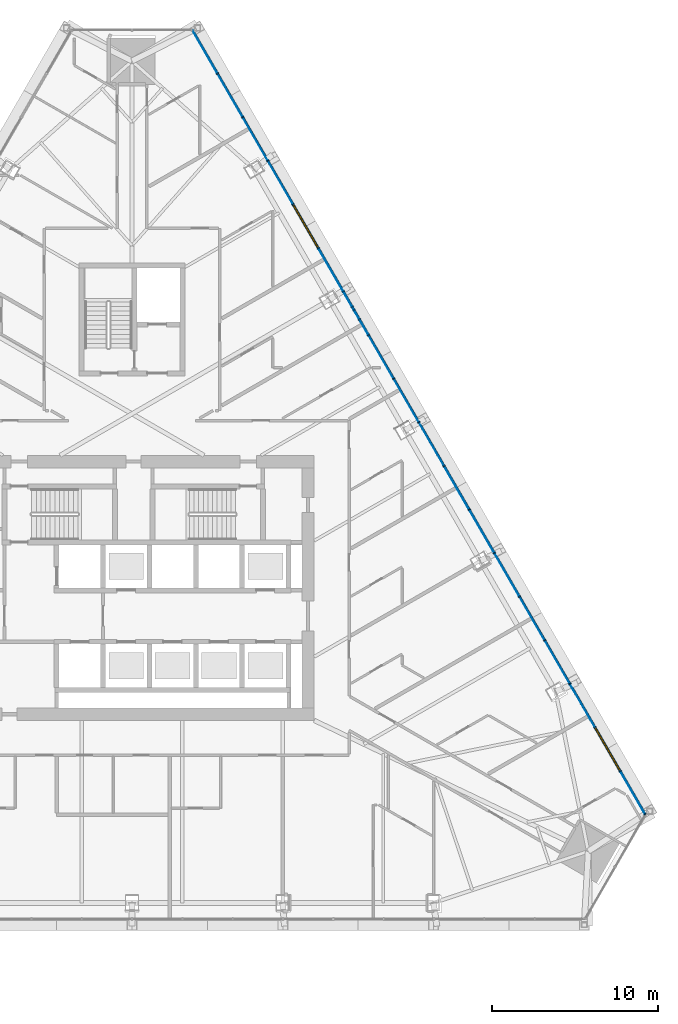
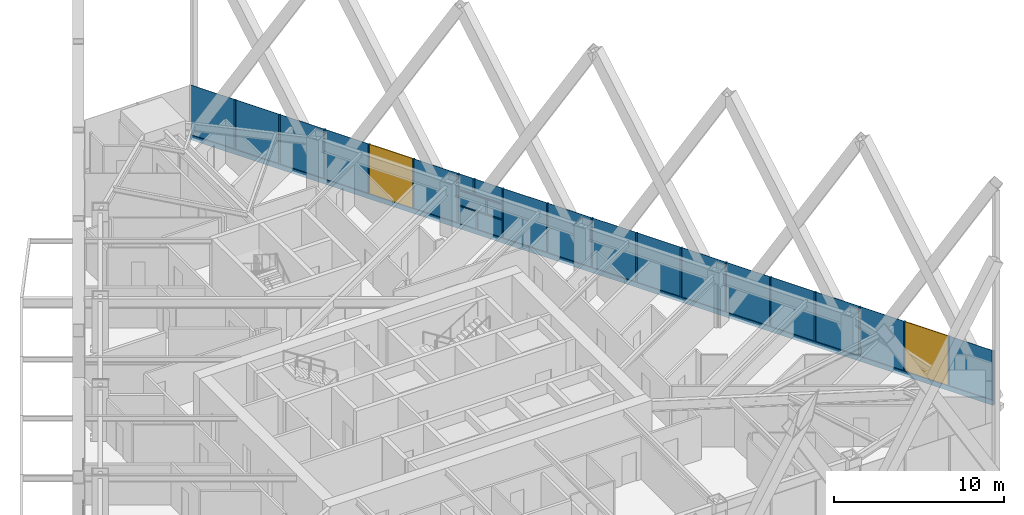
# One storey, part 10 of 26: 24 members, 21 plates, 2 windows, 2 openings, 1 element without a shape of its own.
"""IFC4 building model written with IfcOpenShell, lengths in metres."""

from ifc_helpers import new_model, si_unit, direction, frame, frame_2d, origin, origin_2d, place, context, subcontext, project, spatial, polyline, rectangle, outline, extrude, material, layer, layer_set, material_profile, profile_set, type_object, element, fill, aggregate, save


model = new_model("IFC4")

# Units and contexts
model_context = context("Model", 3, precision=1e-05, world=origin(), true_north=direction((0.0, 1.0)))
body_context = subcontext(model_context, "Body", "Model", "MODEL_VIEW")
ifc_project = project(units=[si_unit("LENGTHUNIT", "METRE"), si_unit("AREAUNIT", "SQUARE_METRE"), si_unit("VOLUMEUNIT", "CUBIC_METRE"), si_unit("PLANEANGLEUNIT", "RADIAN"), si_unit("MASSUNIT", "GRAM", prefix="KILO")], contexts=[model_context])

# Site, building, storey
site_placement = place(None, origin())
site = spatial("IfcSite", under=ifc_project, at=site_placement, CompositionType="ELEMENT")
building_placement = place(site_placement, origin())
building = spatial("IfcBuilding", under=site, at=building_placement, Name="Firuza Gate Tower and Library", CompositionType="ELEMENT")
storey_placement = place(building_placement, frame((0.0, 0.0, 155.800048828125)))
storey = spatial("IfcBuildingStorey", under=building, at=storey_placement, Name="L35", CompositionType="ELEMENT", Elevation=155.800048828125)

# Curtain wall, openings, members, plates, windows
ifc_material_1 = material(Name="Aluminium 6063-T6", Category="aluminium")
ifc_layer_1 = layer(ifc_material_1, 0.14990234375)
ifc_layer_set_1 = layer_set([ifc_layer_1], Name="Unitised curtain wall, hotel")
curtain_wall_type = type_object("IfcCurtainWallType", Name="Unitised curtain wall, hotel", PredefinedType="NOTDEFINED", material=ifc_layer_set_1)
curtain_wall_placement = place(storey_placement, origin())
curtain_wall = element("IfcCurtainWall", 1, at=curtain_wall_placement, inside=storey, type_object=curtain_wall_type, Name="CW2 L35 E face", PredefinedType="NOTDEFINED")
opening_1_placement = place(curtain_wall_placement, frame((104.447509765625, 63.982666015625, 0.14990234375), z_axis=(0.0, 0.0, 1.0), x_axis=(-0.5, 0.866025, 0.0)))
opening_1 = element("IfcOpeningElement", 2, at=opening_1_placement, cuts=curtain_wall, Name="Opening WD1-001", PredefinedType="OPENING", context=body_context, shape_type="SweptSolid", body=[
    extrude(rectangle(XDim=2.958251953125, YDim=3.550048828125, at=frame_2d((1.47900390625, 1.77490234375))), frame((0.0, 0.0849609375, 0.0), z_axis=(0.0, -1.0, 0.0), x_axis=(1.0, 0.0, 0.0)), (0.0, 0.0, 1.0), 0.169921875),
])
opening_2_placement = place(curtain_wall_placement, frame((86.21875, 95.555908203125, 0.14990234375), z_axis=(0.0, 0.0, 1.0), x_axis=(-0.5, 0.866025, 0.0)))
opening_2 = element("IfcOpeningElement", 3, at=opening_2_placement, cuts=curtain_wall, Name="Opening WD1-002", PredefinedType="OPENING", context=body_context, shape_type="SweptSolid", body=[
    extrude(rectangle(XDim=2.958251953125, YDim=3.550048828125, at=frame_2d((1.47900390625, 1.77490234375))), frame((0.0, 0.0849609375, 0.0), z_axis=(0.0, -1.0, 0.0), x_axis=(1.0, 0.0, 0.0)), (0.0, 0.0, 1.0), 0.169921875),
])
ifc_material_2 = material(Name="Aluminium 6063-T6", Category="aluminium")
ifc_material_profile_1 = material_profile(ifc_material_2, rectangle(XDim=0.14990234375, YDim=0.080078125, at=origin_2d()))
ifc_profile_set_1 = profile_set([ifc_material_profile_1], Name="Aluminium 6063-T6")
member_type_1 = type_object("IfcMemberType", Name="Curtain wall mullion 80x150", PredefinedType="MULLION", material=ifc_profile_set_1)
member_1_placement = place(storey_placement, frame((105.966552734375, 61.351318359375, 0.14990234375), z_axis=(0.0, 0.0, 1.0), x_axis=(-0.866025403784, -0.5, 0.0)))
member_1 = element("IfcMember", 4, at=member_1_placement, type_object=member_type_1, Name="Mullion", PredefinedType="MULLION", context=body_context, shape_type="SweptSolid", body=[
    extrude(rectangle(XDim=0.14990234375, YDim=0.080078125, at=origin_2d()), origin(), (0.0, 0.0, 1.0), 3.550048828125),
])
member_2_placement = place(storey_placement, frame((104.467529296875, 63.947998046875, 0.14990234375), z_axis=(0.0, 0.0, 1.0), x_axis=(-0.866025403784, -0.5, 0.0)))
member_2 = element("IfcMember", 5, at=member_2_placement, type_object=member_type_1, Name="Mullion", PredefinedType="MULLION", context=body_context, shape_type="SweptSolid", body=[
    extrude(rectangle(XDim=0.14990234375, YDim=0.080078125, at=origin_2d()), origin(), (0.0, 0.0, 1.0), 3.550048828125),
])
member_3_placement = place(storey_placement, frame((102.948486328125, 66.5791015625, 0.14990234375), z_axis=(0.0, 0.0, 1.0), x_axis=(-0.866025403784, -0.5, 0.0)))
member_3 = element("IfcMember", 6, at=member_3_placement, type_object=member_type_1, Name="Mullion", PredefinedType="MULLION", context=body_context, shape_type="SweptSolid", body=[
    extrude(rectangle(XDim=0.14990234375, YDim=0.080078125, at=origin_2d()), origin(), (0.0, 0.0, 1.0), 3.550048828125),
])
member_4_placement = place(storey_placement, frame((101.429443359375, 69.210205078125, 0.14990234375), z_axis=(0.0, 0.0, 1.0), x_axis=(-0.866025403784, -0.5, 0.0)))
member_4 = element("IfcMember", 7, at=member_4_placement, type_object=member_type_1, Name="Mullion", PredefinedType="MULLION", context=body_context, shape_type="SweptSolid", body=[
    extrude(rectangle(XDim=0.14990234375, YDim=0.080078125, at=origin_2d()), origin(), (0.0, 0.0, 1.0), 3.550048828125),
])
member_5_placement = place(storey_placement, frame((99.910400390625, 71.84130859375, 0.14990234375), z_axis=(0.0, 0.0, 1.0), x_axis=(-0.866025403784, -0.5, 0.0)))
member_5 = element("IfcMember", 8, at=member_5_placement, type_object=member_type_1, Name="Mullion", PredefinedType="MULLION", context=body_context, shape_type="SweptSolid", body=[
    extrude(rectangle(XDim=0.14990234375, YDim=0.080078125, at=origin_2d()), origin(), (0.0, 0.0, 1.0), 3.550048828125),
])
member_6_placement = place(storey_placement, frame((98.391357421875, 74.472412109375, 0.14990234375), z_axis=(0.0, 0.0, 1.0), x_axis=(-0.866025403784, -0.5, 0.0)))
member_6 = element("IfcMember", 9, at=member_6_placement, type_object=member_type_1, Name="Mullion", PredefinedType="MULLION", context=body_context, shape_type="SweptSolid", body=[
    extrude(rectangle(XDim=0.14990234375, YDim=0.080078125, at=origin_2d()), origin(), (0.0, 0.0, 1.0), 3.550048828125),
])
member_7_placement = place(storey_placement, frame((96.8720703125, 77.103515625, 0.14990234375), z_axis=(0.0, 0.0, 1.0), x_axis=(-0.866025403784, -0.5, 0.0)))
member_7 = element("IfcMember", 10, at=member_7_placement, type_object=member_type_1, Name="Mullion", PredefinedType="MULLION", context=body_context, shape_type="SweptSolid", body=[
    extrude(rectangle(XDim=0.14990234375, YDim=0.080078125, at=origin_2d()), origin(), (0.0, 0.0, 1.0), 3.550048828125),
])
member_8_placement = place(storey_placement, frame((95.35302734375, 79.734619140625, 0.14990234375), z_axis=(0.0, 0.0, 1.0), x_axis=(-0.866025403784, -0.5, 0.0)))
member_8 = element("IfcMember", 11, at=member_8_placement, type_object=member_type_1, Name="Mullion", PredefinedType="MULLION", context=body_context, shape_type="SweptSolid", body=[
    extrude(rectangle(XDim=0.14990234375, YDim=0.080078125, at=origin_2d()), origin(), (0.0, 0.0, 1.0), 3.550048828125),
])
member_9_placement = place(storey_placement, frame((93.833984375, 82.36572265625, 0.14990234375), z_axis=(0.0, 0.0, 1.0), x_axis=(-0.866025403784, -0.5, 0.0)))
member_9 = element("IfcMember", 12, at=member_9_placement, type_object=member_type_1, Name="Mullion", PredefinedType="MULLION", context=body_context, shape_type="SweptSolid", body=[
    extrude(rectangle(XDim=0.14990234375, YDim=0.080078125, at=origin_2d()), origin(), (0.0, 0.0, 1.0), 3.550048828125),
])
member_10_placement = place(storey_placement, frame((92.31494140625, 84.996826171875, 0.14990234375), z_axis=(0.0, 0.0, 1.0), x_axis=(-0.866025403784, -0.5, 0.0)))
member_10 = element("IfcMember", 13, at=member_10_placement, type_object=member_type_1, Name="Mullion", PredefinedType="MULLION", context=body_context, shape_type="SweptSolid", body=[
    extrude(rectangle(XDim=0.14990234375, YDim=0.080078125, at=origin_2d()), origin(), (0.0, 0.0, 1.0), 3.550048828125),
])
member_11_placement = place(storey_placement, frame((90.7958984375, 87.6279296875, 0.14990234375), z_axis=(0.0, 0.0, 1.0), x_axis=(-0.866025403784, -0.5, 0.0)))
member_11 = element("IfcMember", 14, at=member_11_placement, type_object=member_type_1, Name="Mullion", PredefinedType="MULLION", context=body_context, shape_type="SweptSolid", body=[
    extrude(rectangle(XDim=0.14990234375, YDim=0.080078125, at=origin_2d()), origin(), (0.0, 0.0, 1.0), 3.550048828125),
])
member_12_placement = place(storey_placement, frame((89.27685546875, 90.259033203125, 0.14990234375), z_axis=(0.0, 0.0, 1.0), x_axis=(-0.866025403784, -0.5, 0.0)))
member_12 = element("IfcMember", 15, at=member_12_placement, type_object=member_type_1, Name="Mullion", PredefinedType="MULLION", context=body_context, shape_type="SweptSolid", body=[
    extrude(rectangle(XDim=0.14990234375, YDim=0.080078125, at=origin_2d()), origin(), (0.0, 0.0, 1.0), 3.550048828125),
])
member_13_placement = place(storey_placement, frame((87.7578125, 92.89013671875, 0.14990234375), z_axis=(0.0, 0.0, 1.0), x_axis=(-0.866025403784, -0.5, 0.0)))
member_13 = element("IfcMember", 16, at=member_13_placement, type_object=member_type_1, Name="Mullion", PredefinedType="MULLION", context=body_context, shape_type="SweptSolid", body=[
    extrude(rectangle(XDim=0.14990234375, YDim=0.080078125, at=origin_2d()), origin(), (0.0, 0.0, 1.0), 3.550048828125),
])
member_14_placement = place(storey_placement, frame((86.23876953125, 95.521240234375, 0.14990234375), z_axis=(0.0, 0.0, 1.0), x_axis=(-0.866025403784, -0.5, 0.0)))
member_14 = element("IfcMember", 17, at=member_14_placement, type_object=member_type_1, Name="Mullion", PredefinedType="MULLION", context=body_context, shape_type="SweptSolid", body=[
    extrude(rectangle(XDim=0.14990234375, YDim=0.080078125, at=origin_2d()), origin(), (0.0, 0.0, 1.0), 3.550048828125),
])
member_15_placement = place(storey_placement, frame((84.719482421875, 98.15234375, 0.14990234375), z_axis=(0.0, 0.0, 1.0), x_axis=(-0.866025403784, -0.5, 0.0)))
member_15 = element("IfcMember", 18, at=member_15_placement, type_object=member_type_1, Name="Mullion", PredefinedType="MULLION", context=body_context, shape_type="SweptSolid", body=[
    extrude(rectangle(XDim=0.14990234375, YDim=0.080078125, at=origin_2d()), origin(), (0.0, 0.0, 1.0), 3.550048828125),
])
member_16_placement = place(storey_placement, frame((83.200439453125, 100.783447265625, 0.14990234375), z_axis=(0.0, 0.0, 1.0), x_axis=(-0.866025403784, -0.5, 0.0)))
member_16 = element("IfcMember", 19, at=member_16_placement, type_object=member_type_1, Name="Mullion", PredefinedType="MULLION", context=body_context, shape_type="SweptSolid", body=[
    extrude(rectangle(XDim=0.14990234375, YDim=0.080078125, at=origin_2d()), origin(), (0.0, 0.0, 1.0), 3.550048828125),
])
member_17_placement = place(storey_placement, frame((81.681396484375, 103.41455078125, 0.14990234375), z_axis=(0.0, 0.0, 1.0), x_axis=(-0.866025403784, -0.5, 0.0)))
member_17 = element("IfcMember", 20, at=member_17_placement, type_object=member_type_1, Name="Mullion", PredefinedType="MULLION", context=body_context, shape_type="SweptSolid", body=[
    extrude(rectangle(XDim=0.14990234375, YDim=0.080078125, at=origin_2d()), origin(), (0.0, 0.0, 1.0), 3.550048828125),
])
member_18_placement = place(storey_placement, frame((80.162353515625, 106.045654296875, 0.14990234375), z_axis=(0.0, 0.0, 1.0), x_axis=(-0.866025403784, -0.5, 0.0)))
member_18 = element("IfcMember", 21, at=member_18_placement, type_object=member_type_1, Name="Mullion", PredefinedType="MULLION", context=body_context, shape_type="SweptSolid", body=[
    extrude(rectangle(XDim=0.14990234375, YDim=0.080078125, at=origin_2d()), origin(), (0.0, 0.0, 1.0), 3.550048828125),
])
member_19_placement = place(storey_placement, frame((88.4013671875, 91.775390625, 0.14990234375), z_axis=(0.0, 0.0, 1.0), x_axis=(-0.866025403784, -0.5, 0.0)))
member_19 = element("IfcMember", 22, at=member_19_placement, type_object=member_type_1, Name="Mullion", PredefinedType="MULLION", context=body_context, shape_type="SweptSolid", body=[
    extrude(rectangle(XDim=0.14990234375, YDim=0.080078125, at=origin_2d()), origin(), (0.0, 0.0, 1.0), 1.260009765625),
])
member_20_placement = place(storey_placement, frame((88.7294921875, 91.20703125, 1.489990234375), z_axis=(0.0, 0.0, 1.0), x_axis=(-0.866025403784, -0.5, 0.0)))
member_20 = element("IfcMember", 23, at=member_20_placement, type_object=member_type_1, Name="Mullion", PredefinedType="MULLION", context=body_context, shape_type="SweptSolid", body=[
    extrude(rectangle(XDim=0.14990234375, YDim=0.080078125, at=origin_2d()), origin(), (0.0, 0.0, 1.0), 1.044921875),
])
member_21_placement = place(storey_placement, frame((88.302490234375, 91.946533203125, 2.614990234375), z_axis=(0.0, 0.0, 1.0), x_axis=(-0.866025403784, -0.5, 0.0)))
member_21 = element("IfcMember", 24, at=member_21_placement, type_object=member_type_1, Name="Mullion", PredefinedType="MULLION", context=body_context, shape_type="SweptSolid", body=[
    extrude(rectangle(XDim=0.14990234375, YDim=0.080078125, at=origin_2d()), origin(), (0.0, 0.0, 1.0), 1.0849609375),
])
ifc_material_3 = material(Name="Aluminium 6063-T6", Category="aluminium")
ifc_material_profile_2 = material_profile(ifc_material_3, rectangle(XDim=0.14990234375, YDim=0.35009765625, at=origin_2d()))
ifc_profile_set_2 = profile_set([ifc_material_profile_2], Name="Aluminium 6063-T6")
member_type_2 = type_object("IfcMemberType", Name="Curtain wall transom 350x150", PredefinedType="USERDEFINED", material=ifc_profile_set_2)
member_22_placement = place(storey_placement, frame((105.986572265625, 61.31689453125, -0.025146484375), z_axis=(-0.500000437556, 0.866025151161, 0.0), x_axis=(-0.866025151161, -0.500000437556, 0.0)))
member_22 = element("IfcMember", 25, at=member_22_placement, type_object=member_type_2, Name="Transom", ObjectType="TRANSOM", PredefinedType="USERDEFINED", context=body_context, shape_type="SweptSolid", body=[
    extrude(rectangle(XDim=0.14990234375, YDim=0.35009765625, at=origin_2d()), origin(), (0.0, 0.0, 1.0), 54.6865234375),
])
ifc_material_4 = material(Name="Aluminium 6063-T6", Category="aluminium")
ifc_material_profile_3 = material_profile(ifc_material_4, rectangle(XDim=0.14990234375, YDim=0.080078125, at=origin_2d()))
ifc_profile_set_3 = profile_set([ifc_material_profile_3], Name="Aluminium 6063-T6")
member_type_3 = type_object("IfcMemberType", Name="Curtain wall transom 80x150", PredefinedType="USERDEFINED", material=ifc_profile_set_3)
member_23_placement = place(storey_placement, frame((89.2568359375, 90.293701171875, 1.449951171875), z_axis=(-0.49999155831, 0.866030277542, 0.0), x_axis=(-0.866030277542, -0.49999155831, 0.0)))
member_23 = element("IfcMember", 26, at=member_23_placement, type_object=member_type_3, Name="Transom", ObjectType="TRANSOM", PredefinedType="USERDEFINED", context=body_context, shape_type="SweptSolid", body=[
    extrude(rectangle(XDim=0.14990234375, YDim=0.080078125, at=origin_2d()), origin(), (0.0, 0.0, 1.0), 2.9580078125),
])
member_24_placement = place(storey_placement, frame((89.2568359375, 90.293701171875, 2.574951171875), z_axis=(-0.49999155831, 0.866030277542, 0.0), x_axis=(-0.866030277542, -0.49999155831, 0.0)))
member_24 = element("IfcMember", 27, at=member_24_placement, type_object=member_type_3, Name="Transom", ObjectType="TRANSOM", PredefinedType="USERDEFINED", context=body_context, shape_type="SweptSolid", body=[
    extrude(rectangle(XDim=0.14990234375, YDim=0.080078125, at=origin_2d()), origin(), (0.0, 0.0, 1.0), 2.9580078125),
])
ifc_material_5 = material(Name="Fritted glass", Category="glass")
ifc_layer_2 = layer(ifc_material_5, 0.030029296875)
ifc_layer_set_2 = layer_set([ifc_layer_2], Name="Fritted glass unit, hotel")
plate_type_1 = type_object("IfcPlateType", Name="Fritted glass unit, hotel", PredefinedType="CURTAIN_PANEL", material=ifc_layer_set_2)
plate_1_placement = place(storey_placement, frame((99.9033203125, 71.88330078125, 0.14990234375), z_axis=(0.866050908157, 0.499955822529, 0.0), x_axis=(-0.499955822529, 0.866050908157, 0.0)))
plate_1 = element("IfcPlate", 28, at=plate_1_placement, type_object=plate_type_1, Name="Glass unit", PredefinedType="CURTAIN_PANEL", context=body_context, shape_type="SweptSolid", body=[
    extrude(outline(polyline([(0.0, 0.0), (2.9582691902048213, 0.0), (2.9582691902048213, 3.550048828125), (0.0, 3.550048828125), (0.0, 0.0)])), origin(), (0.0, 0.0, -1.0), 0.030029296875),
])
plate_2_placement = place(storey_placement, frame((95.34619140625, 79.776611328125, 0.14990234375), z_axis=(0.866015173767, 0.500017718492, 0.0), x_axis=(-0.500017718492, 0.866015173767, 0.0)))
plate_2 = element("IfcPlate", 29, at=plate_2_placement, type_object=plate_type_1, Name="Glass unit", PredefinedType="CURTAIN_PANEL", context=body_context, shape_type="SweptSolid", body=[
    extrude(outline(polyline([(0.0, 0.0), (2.958391257287621, 0.0), (2.958391257287621, 3.550048828125), (0.0, 3.550048828125), (0.0, 0.0)])), origin(), (0.0, 0.0, -1.0), 0.030029296875),
])
plate_3_placement = place(storey_placement, frame((90.788818359375, 87.669921875, 0.14990234375), z_axis=(0.866050908157, 0.499955822529, 0.0), x_axis=(-0.499955822529, 0.866050908157, 0.0)))
plate_3 = element("IfcPlate", 30, at=plate_3_placement, type_object=plate_type_1, Name="Glass unit", PredefinedType="CURTAIN_PANEL", context=body_context, shape_type="SweptSolid", body=[
    extrude(outline(polyline([(0.0, 0.0), (2.9582691902048213, 0.0), (2.9582691902048213, 3.550048828125), (0.0, 3.550048828125), (0.0, 0.0)])), origin(), (0.0, 0.0, -1.0), 0.030029296875),
])
plate_4_placement = place(storey_placement, frame((89.269775390625, 90.30126953125, 0.14990234375), z_axis=(0.866022559518, 0.500004926382, 0.0), x_axis=(-0.500004926382, 0.866022559518, 0.0)))
plate_4 = element("IfcPlate", 31, at=plate_4_placement, type_object=plate_type_1, Name="Glass unit", PredefinedType="CURTAIN_PANEL", context=body_context, shape_type="SweptSolid", body=[
    extrude(outline(polyline([(0.0, 0.0), (1.6708819746926513, 0.0), (1.6708819746926513, 1.260009765625), (0.0, 1.260009765625), (0.0, 0.0)])), origin(), (0.0, 0.0, -1.0), 0.030029296875),
])
plate_5_placement = place(storey_placement, frame((89.269775390625, 90.30126953125, 1.489990234375), z_axis=(0.866013277291, 0.500021003115, 0.0), x_axis=(-0.500021003115, 0.866013277291, 0.0)))
plate_5 = element("IfcPlate", 32, at=plate_5_placement, type_object=plate_type_1, Name="Glass unit", PredefinedType="CURTAIN_PANEL", context=body_context, shape_type="SweptSolid", body=[
    extrude(outline(polyline([(0.0, 0.0), (1.014605817734958, 0.0), (1.014605817734958, 1.044921875), (0.0, 1.044921875), (0.0, 0.0)])), origin(), (0.0, 0.0, -1.0), 0.030029296875),
])
plate_6_placement = place(storey_placement, frame((88.295654296875, 91.988525390625, 2.614990234375), z_axis=(0.866032592222, 0.499987549055, 0.0), x_axis=(-0.499987549055, 0.866032592222, 0.0)))
plate_6 = element("IfcPlate", 33, at=plate_6_placement, type_object=plate_type_1, Name="Glass unit", PredefinedType="CURTAIN_PANEL", context=body_context, shape_type="SweptSolid", body=[
    extrude(outline(polyline([(0.0, 0.0), (1.009790770699054, 0.0), (1.009790770699054, 1.0849609375), (0.0, 1.0849609375), (0.0, 0.0)])), origin(), (0.0, 0.0, -1.0), 0.030029296875),
])
plate_7_placement = place(storey_placement, frame((81.67431640625, 103.456787109375, 0.14990234375), z_axis=(0.866030277542, 0.49999155831, 0.0), x_axis=(-0.49999155831, 0.866030277542, 0.0)))
plate_7 = element("IfcPlate", 34, at=plate_7_placement, type_object=plate_type_1, Name="Glass unit", PredefinedType="CURTAIN_PANEL", context=body_context, shape_type="SweptSolid", body=[
    extrude(outline(polyline([(0.0, 0.0), (2.958057754513118, 0.0), (2.958057754513118, 3.550048828125), (0.0, 3.550048828125), (0.0, 0.0)])), origin(), (0.0, 0.0, -1.0), 0.030029296875),
])
ifc_material_6 = material(Name="Glazed ceramic tile")
ifc_layer_3 = layer(ifc_material_6, 0.030029296875)
ifc_layer_set_3 = layer_set([ifc_layer_3], Name="Opaque ceramic panel, hotel")
plate_type_2 = type_object("IfcPlateType", Name="Opaque ceramic panel, hotel", PredefinedType="CURTAIN_PANEL", material=ifc_layer_set_3)
plate_8_placement = place(storey_placement, frame((105.9794921875, 61.35888671875, 0.14990234375), z_axis=(0.866030277542, 0.49999155831, 0.0), x_axis=(-0.49999155831, 0.866030277542, 0.0)))
plate_8 = element("IfcPlate", 35, at=plate_8_placement, type_object=plate_type_2, Name="Opaque ceramic panel", PredefinedType="CURTAIN_PANEL", context=body_context, shape_type="SweptSolid", body=[
    extrude(outline(polyline([(0.0, 0.0), (2.958057754513118, 0.0), (2.958057754513118, 3.550048828125), (0.0, 3.550048828125), (0.0, 0.0)])), origin(), (0.0, 0.0, -1.0), 0.030029296875),
])
plate_9_placement = place(storey_placement, frame((102.94140625, 66.62109375, 0.14990234375), z_axis=(0.866050908157, 0.499955822529, 0.0), x_axis=(-0.499955822529, 0.866050908157, 0.0)))
plate_9 = element("IfcPlate", 36, at=plate_9_placement, type_object=plate_type_2, Name="Opaque ceramic panel", PredefinedType="CURTAIN_PANEL", context=body_context, shape_type="SweptSolid", body=[
    extrude(outline(polyline([(0.0, 0.0), (2.9582691902048213, 0.0), (2.9582691902048213, 3.550048828125), (0.0, 3.550048828125), (0.0, 0.0)])), origin(), (0.0, 0.0, -1.0), 0.030029296875),
])
plate_10_placement = place(storey_placement, frame((101.42236328125, 69.252197265625, 0.14990234375), z_axis=(0.866050908157, 0.499955822529, 0.0), x_axis=(-0.499955822529, 0.866050908157, 0.0)))
plate_10 = element("IfcPlate", 37, at=plate_10_placement, type_object=plate_type_2, Name="Opaque ceramic panel", PredefinedType="CURTAIN_PANEL", context=body_context, shape_type="SweptSolid", body=[
    extrude(outline(polyline([(0.0, 0.0), (2.9582691902048213, 0.0), (2.9582691902048213, 3.550048828125), (0.0, 3.550048828125), (0.0, 0.0)])), origin(), (0.0, 0.0, -1.0), 0.030029296875),
])
plate_11_placement = place(storey_placement, frame((98.38427734375, 74.514404296875, 0.14990234375), z_axis=(0.866050908157, 0.499955822529, 0.0), x_axis=(-0.499955822529, 0.866050908157, 0.0)))
plate_11 = element("IfcPlate", 38, at=plate_11_placement, type_object=plate_type_2, Name="Opaque ceramic panel", PredefinedType="CURTAIN_PANEL", context=body_context, shape_type="SweptSolid", body=[
    extrude(outline(polyline([(0.0, 0.0), (2.9582691902048213, 0.0), (2.9582691902048213, 3.550048828125), (0.0, 3.550048828125), (0.0, 0.0)])), origin(), (0.0, 0.0, -1.0), 0.030029296875),
])
plate_12_placement = place(storey_placement, frame((96.865234375, 77.1455078125, 0.14990234375), z_axis=(0.866015173767, 0.500017718492, 0.0), x_axis=(-0.500017718492, 0.866015173767, 0.0)))
plate_12 = element("IfcPlate", 39, at=plate_12_placement, type_object=plate_type_2, Name="Opaque ceramic panel", PredefinedType="CURTAIN_PANEL", context=body_context, shape_type="SweptSolid", body=[
    extrude(outline(polyline([(0.0, 0.0), (2.958391257287621, 0.0), (2.958391257287621, 3.550048828125), (0.0, 3.550048828125), (0.0, 0.0)])), origin(), (0.0, 0.0, -1.0), 0.030029296875),
])
plate_13_placement = place(storey_placement, frame((93.826904296875, 82.40771484375, 0.14990234375), z_axis=(0.866050908157, 0.499955822529, 0.0), x_axis=(-0.499955822529, 0.866050908157, 0.0)))
plate_13 = element("IfcPlate", 40, at=plate_13_placement, type_object=plate_type_2, Name="Opaque ceramic panel", PredefinedType="CURTAIN_PANEL", context=body_context, shape_type="SweptSolid", body=[
    extrude(outline(polyline([(0.0, 0.0), (2.9582691902048213, 0.0), (2.9582691902048213, 3.550048828125), (0.0, 3.550048828125), (0.0, 0.0)])), origin(), (0.0, 0.0, -1.0), 0.030029296875),
])
plate_14_placement = place(storey_placement, frame((92.307861328125, 85.038818359375, 0.14990234375), z_axis=(0.866050908157, 0.499955822529, 0.0), x_axis=(-0.499955822529, 0.866050908157, 0.0)))
plate_14 = element("IfcPlate", 41, at=plate_14_placement, type_object=plate_type_2, Name="Opaque ceramic panel", PredefinedType="CURTAIN_PANEL", context=body_context, shape_type="SweptSolid", body=[
    extrude(outline(polyline([(0.0, 0.0), (2.9582691902048213, 0.0), (2.9582691902048213, 3.550048828125), (0.0, 3.550048828125), (0.0, 0.0)])), origin(), (0.0, 0.0, -1.0), 0.030029296875),
])
plate_15_placement = place(storey_placement, frame((88.394287109375, 91.817626953125, 0.14990234375), z_axis=(0.866044131922, 0.499967560512, 0.0), x_axis=(-0.499967560512, 0.866044131922, 0.0)))
plate_15 = element("IfcPlate", 42, at=plate_15_placement, type_object=plate_type_2, Name="Opaque ceramic panel", PredefinedType="CURTAIN_PANEL", context=body_context, shape_type="SweptSolid", body=[
    extrude(outline(polyline([(0.0, 0.0), (1.207109566033585, 0.0), (1.207109566033585, 1.260009765625), (0.0, 1.260009765625), (0.0, 0.0)])), origin(), (0.0, 0.0, -1.0), 0.030029296875),
])
plate_16_placement = place(storey_placement, frame((88.722412109375, 91.249267578125, 1.489990234375), z_axis=(0.866041588165, 0.499971966783, 0.0), x_axis=(-0.499971966783, 0.866041588165, 0.0)))
plate_16 = element("IfcPlate", 43, at=plate_16_placement, type_object=plate_type_2, Name="Opaque ceramic panel", PredefinedType="CURTAIN_PANEL", context=body_context, shape_type="SweptSolid", body=[
    extrude(outline(polyline([(0.0, 0.0), (1.863385723392029, 0.0), (1.863385723392029, 1.044921875), (0.0, 1.044921875), (0.0, 0.0)])), origin(), (0.0, 0.0, -1.0), 0.030029296875),
])
plate_17_placement = place(storey_placement, frame((89.269775390625, 90.30126953125, 2.614990234375), z_axis=(0.866007161901, 0.500031594538, 0.0), x_axis=(-0.500031594538, 0.866007161901, 0.0)))
plate_17 = element("IfcPlate", 44, at=plate_17_placement, type_object=plate_type_2, Name="Opaque ceramic panel", PredefinedType="CURTAIN_PANEL", context=body_context, shape_type="SweptSolid", body=[
    extrude(outline(polyline([(0.0, 0.0), (1.8685342727970222, 0.0), (1.8685342727970222, 1.0849609375000002), (0.0, 1.0849609375000002), (0.0, 0.0)])), origin(), (0.0, 0.0, -1.0), 0.030029296875),
])
plate_18_placement = place(storey_placement, frame((87.750732421875, 92.932373046875, 0.14990234375), z_axis=(0.866030277542, 0.49999155831, 0.0), x_axis=(-0.49999155831, 0.866030277542, 0.0)))
plate_18 = element("IfcPlate", 45, at=plate_18_placement, type_object=plate_type_2, Name="Opaque ceramic panel", PredefinedType="CURTAIN_PANEL", context=body_context, shape_type="SweptSolid", body=[
    extrude(outline(polyline([(0.0, 0.0), (2.958057754513118, 0.0), (2.958057754513118, 3.550048828125), (0.0, 3.550048828125), (0.0, 0.0)])), origin(), (0.0, 0.0, -1.0), 0.030029296875),
])
plate_19_placement = place(storey_placement, frame((84.712646484375, 98.194580078125, 0.14990234375), z_axis=(0.865994538894, 0.500053455748, 0.0), x_axis=(-0.500053455748, 0.865994538894, 0.0)))
plate_19 = element("IfcPlate", 46, at=plate_19_placement, type_object=plate_type_2, Name="Opaque ceramic panel", PredefinedType="CURTAIN_PANEL", context=body_context, shape_type="SweptSolid", body=[
    extrude(outline(polyline([(0.0, 0.0), (2.9581798303206535, 0.0), (2.9581798303206535, 3.550048828125), (0.0, 3.550048828125), (0.0, 0.0)])), origin(), (0.0, 0.0, -1.0), 0.030029296875),
])
plate_20_placement = place(storey_placement, frame((83.193603515625, 100.82568359375, 0.14990234375), z_axis=(0.865994538894, 0.500053455748, 0.0), x_axis=(-0.500053455748, 0.865994538894, 0.0)))
plate_20 = element("IfcPlate", 47, at=plate_20_placement, type_object=plate_type_2, Name="Opaque ceramic panel", PredefinedType="CURTAIN_PANEL", context=body_context, shape_type="SweptSolid", body=[
    extrude(outline(polyline([(0.0, 0.0), (2.9581798303206535, 0.0), (2.9581798303206535, 3.550048828125), (0.0, 3.550048828125), (0.0, 0.0)])), origin(), (0.0, 0.0, -1.0), 0.030029296875),
])
plate_21_placement = place(storey_placement, frame((80.1552734375, 106.087890625, 0.14990234375), z_axis=(0.866030277542, 0.49999155831, 0.0), x_axis=(-0.49999155831, 0.866030277542, 0.0)))
plate_21 = element("IfcPlate", 48, at=plate_21_placement, type_object=plate_type_2, Name="Opaque ceramic panel", PredefinedType="CURTAIN_PANEL", context=body_context, shape_type="SweptSolid", body=[
    extrude(outline(polyline([(0.0, 0.0), (2.958057754513118, 0.0), (2.958057754513118, 3.550048828125), (0.0, 3.550048828125), (0.0, 0.0)])), origin(), (0.0, 0.0, -1.0), 0.030029296875),
])
aggregate(curtain_wall, [member_1, member_2, member_3, member_4, member_5, member_6, member_7, member_8, member_9, member_10, member_11, member_12, member_13, member_14, member_15, member_16, member_17, member_18, member_22, plate_8, plate_9, plate_10, plate_1, plate_11, plate_12, plate_2, plate_13, plate_14, plate_3, plate_4, plate_15, plate_5, plate_16, plate_17, plate_6, member_19, member_20, member_21, member_23, member_24, plate_18, plate_19, plate_20, plate_7, plate_21])
ifc_material_7 = material(Name="Aluminium 6063-T6 and glass", Category="aluminium")
ifc_layer_4 = layer(ifc_material_7, 0.030029296875)
ifc_layer_set_4 = layer_set([ifc_layer_4], Name="Operable glazed unit")
window_type = type_object("IfcWindowType", Name="Operable glazed unit", PartitioningType="SINGLE_PANEL", PredefinedType="WINDOW", material=ifc_layer_set_4)
window_1_placement = place(opening_1_placement, origin())
window_1 = element("IfcWindow", 49, at=window_1_placement, inside=storey, type_object=window_type, Name="Operable glazed unit", OverallHeight=3.550048828125, OverallWidth=2.958251953125, PartitioningType="SINGLE_PANEL", PredefinedType="WINDOW", context=body_context, shape_type="SweptSolid", body=[
    extrude(rectangle(XDim=2.958251953125, YDim=3.550048828125, at=frame_2d((1.47900390625, 1.77490234375))), frame((0.0, 0.030029296875, 0.0), z_axis=(0.0, -1.0, 0.0), x_axis=(1.0, 0.0, 0.0)), (0.0, 0.0, 1.0), 0.06005859375),
])
fill(opening_1, window_1)
window_2_placement = place(opening_2_placement, origin())
window_2 = element("IfcWindow", 50, at=window_2_placement, inside=storey, type_object=window_type, Name="Operable glazed unit", OverallHeight=3.550048828125, OverallWidth=2.958251953125, PartitioningType="SINGLE_PANEL", PredefinedType="WINDOW", context=body_context, shape_type="SweptSolid", body=[
    extrude(rectangle(XDim=2.958251953125, YDim=3.550048828125, at=frame_2d((1.47900390625, 1.77490234375))), frame((0.0, 0.030029296875, 0.0), z_axis=(0.0, -1.0, 0.0), x_axis=(1.0, 0.0, 0.0)), (0.0, 0.0, 1.0), 0.06005859375),
])
fill(opening_2, window_2)

save(model, "model.ifc")
